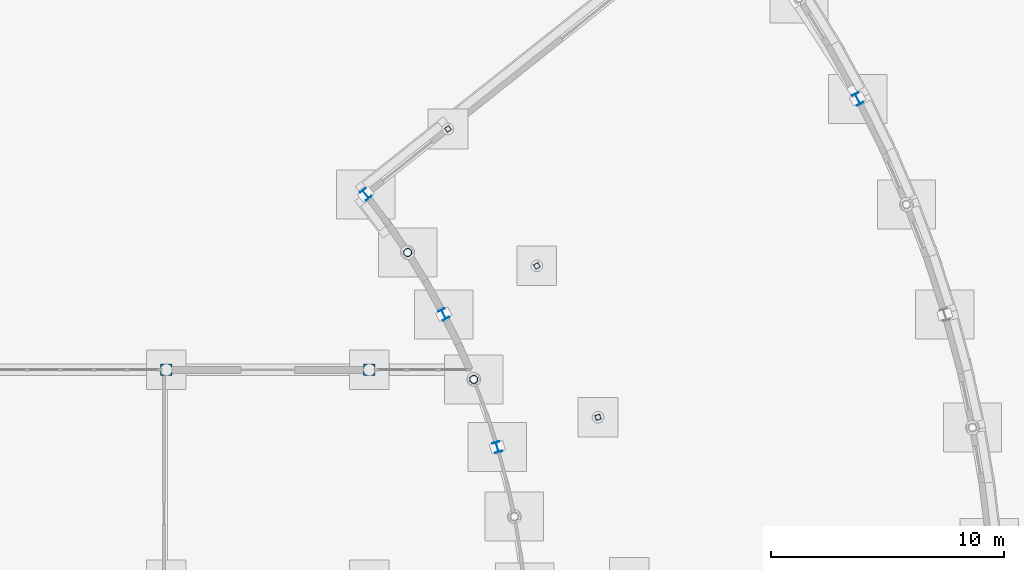
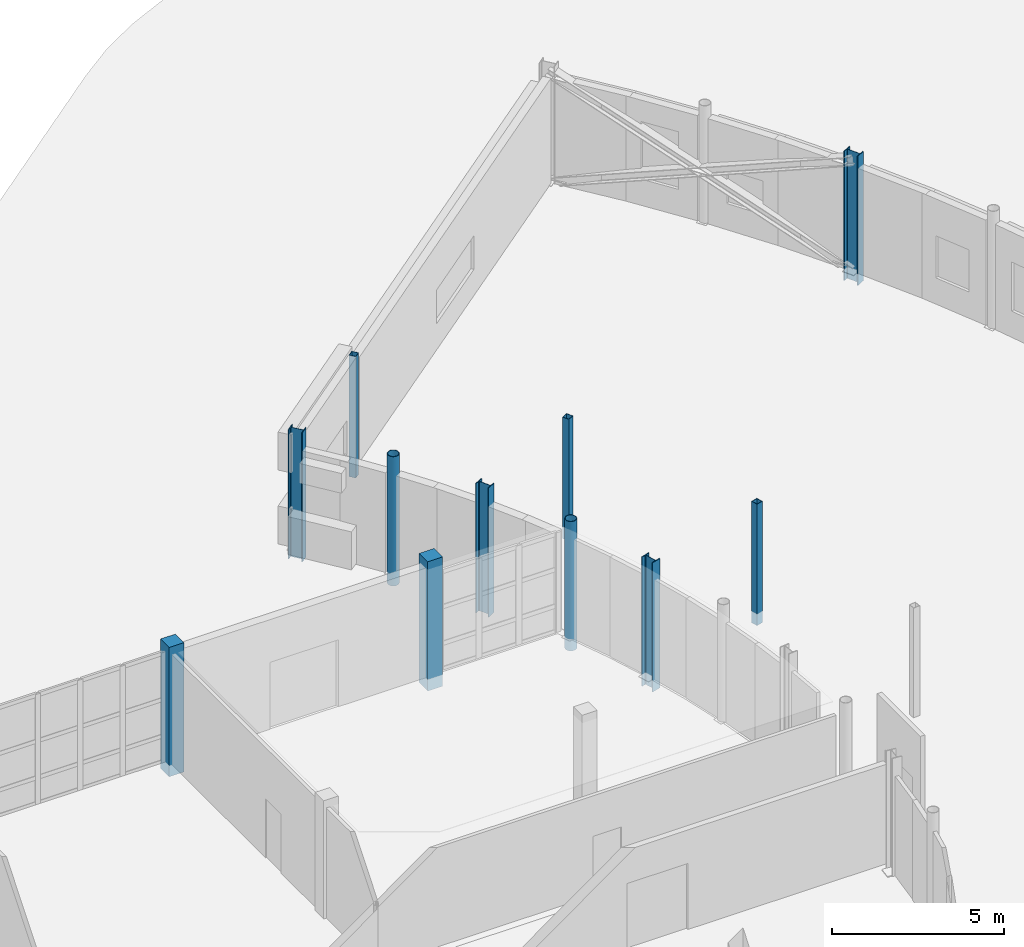
# One storey, part 14 of 88: 11 columns.
"""IFC4 building model written with IfcOpenShell, lengths in metres."""

from ifc_helpers import new_model, si_unit, direction, frame, origin, origin_2d, place, context, subcontext, project, spatial, rectangle, hollow_rectangle, hollow_circle, i_section, extrude, material, material_profile, profile_set, type_object, element, save


model = new_model("IFC4")

# Units and contexts
model_context = context("Model", 3, precision=1e-05, world=origin(), true_north=direction((0.0, 1.0)))
body_context = subcontext(model_context, "Body", "Model", "MODEL_VIEW")
ifc_project = project(units=[si_unit("LENGTHUNIT", "METRE"), si_unit("AREAUNIT", "SQUARE_METRE"), si_unit("VOLUMEUNIT", "CUBIC_METRE"), si_unit("PLANEANGLEUNIT", "RADIAN"), si_unit("MASSUNIT", "GRAM", prefix="KILO")], contexts=[model_context])

# Site, building, storey
site_placement = place(None, origin())
site = spatial("IfcSite", under=ifc_project, at=site_placement, CompositionType="ELEMENT")
building_placement = place(site_placement, origin())
building = spatial("IfcBuilding", under=site, at=building_placement, Name="Vanh Quang Courtyard School", CompositionType="ELEMENT")
storey_placement = place(building_placement, origin())
storey = spatial("IfcBuildingStorey", under=building, at=storey_placement, Name="L00", CompositionType="ELEMENT", Elevation=0.0)

# Columns
ifc_material_1 = material(Name="Concrete C35/45", Category="concrete")
ifc_material_profile_1 = material_profile(ifc_material_1, rectangle(XDim=0.5, YDim=0.5, at=origin_2d()), Name="RC-COL 500x500")
ifc_profile_set_1 = profile_set([ifc_material_profile_1], Name="Concrete C35/45")
column_type_1 = type_object("IfcColumnType", Name="COL-RC-500", PredefinedType="COLUMN", material=ifc_profile_set_1)
for number, where, z_axis, x_axis, name in (
    (1, (128.5, 68.39990234375, -0.39990234375), (0.0, 0.0, 1.0), (1.0, 0.0, 0.0), "Column C-05 (L00)"),
    (2, (137.199951171875, 68.39990234375, -0.39990234375), (0.0, 0.0, 1.0), (1.0, 0.0, 0.0), "Column C-05 (L00)"),
):
    element("IfcColumn", number, at=place(storey_placement, frame(where, z_axis=z_axis, x_axis=x_axis)), inside=storey, type_object=column_type_1, Name=name, PredefinedType="COLUMN", context=body_context, shape_type="SweptSolid", body=[
        extrude(rectangle(XDim=0.5, YDim=0.5, at=origin_2d()), origin(), (0.0, 0.0, 1.0), 4.599853515625),
    ])
ifc_material_2 = material(Name="Structural steel EN 10025-2 S355J2", Category="steel")
ifc_material_profile_2 = material_profile(ifc_material_2, hollow_circle(Radius=0.177734375, WallThickness=0.01611328125, at=origin_2d()), Name="CHS 355.6x16")
ifc_profile_set_2 = profile_set([ifc_material_profile_2], Name="Structural steel EN 10025-2 S355J2")
column_type_2 = type_object("IfcColumnType", Name="COL-STL-CHS355", PredefinedType="COLUMN", material=ifc_profile_set_2)
for number, where, z_axis, x_axis, name in (
    (3, (141.669921875, 67.9873046875, -0.39990234375), (0.0, 0.0, 1.0), (1.0, 0.0, 0.0), "Column CS-05 (L00)"),
    (4, (138.83740234375, 73.428466796875, -0.39990234375), (0.0, 0.0, 1.0), (1.0, 0.0, 0.0), "Column CS-05 (L00)"),
):
    element("IfcColumn", number, at=place(storey_placement, frame(where, z_axis=z_axis, x_axis=x_axis)), inside=storey, type_object=column_type_2, Name=name, PredefinedType="COLUMN", context=body_context, shape_type="SweptSolid", body=[
        extrude(hollow_circle(Radius=0.177734375, WallThickness=0.01611328125, at=origin_2d()), origin(), (0.0, 0.0, 1.0), 4.599853515625),
    ])
ifc_material_profile_3 = material_profile(ifc_material_2, i_section(OverallWidth=0.300048828125, OverallDepth=0.489990234375, WebThickness=0.011962890625, FlangeThickness=0.02294921875, FilletRadius=0.027099609375, at=origin_2d()), Name="HEA 500")
ifc_profile_set_3 = profile_set([ifc_material_profile_3], Name="Structural steel EN 10025-2 S355J2")
column_type_3 = type_object("IfcColumnType", Name="COL-STL-HEA500", PredefinedType="COLUMN", material=ifc_profile_set_3)
column_placement = place(storey_placement, frame((158.12451171875, 80.010986328125, -0.39990234375), z_axis=(0.0, 0.0, 1.0), x_axis=(0.887010833178, 0.461748613235, 0.0)))
element("IfcColumn", 5, at=column_placement, inside=storey, type_object=column_type_3, Name="Column CS-01 (L00)", PredefinedType="COLUMN", context=body_context, shape_type="SweptSolid", body=[
    extrude(i_section(OverallWidth=0.300048828125, OverallDepth=0.489990234375, WebThickness=0.011962890625, FlangeThickness=0.02294921875, FilletRadius=0.027099609375, at=origin_2d()), origin(), (0.0, 0.0, 1.0), 4.599853515625),
])
ifc_material_profile_4 = material_profile(ifc_material_2, i_section(OverallWidth=0.300048828125, OverallDepth=0.449951171875, WebThickness=0.013916015625, FlangeThickness=0.02587890625, FilletRadius=0.027099609375, at=origin_2d()), Name="HEB 450")
ifc_profile_set_4 = profile_set([ifc_material_profile_4], Name="Structural steel EN 10025-2 S355J2")
column_type_4 = type_object("IfcColumnType", Name="COL-STL-HEB450", PredefinedType="COLUMN", material=ifc_profile_set_4)
for number, where, z_axis, x_axis, name in (
    (6, (142.68212890625, 65.08837890625, -0.39990234375), (0.0, 0.0, 1.0), (0.958819734868, 0.284015344704, 0.0), "Column CS-02 (L00)"),
    (7, (140.38427734375, 70.77587890625, -0.39990234375), (0.0, 0.0, 1.0), (0.887010833178, 0.461748613235, 0.0), "Column CS-02 (L00)"),
    (8, (137.04345703125, 75.92041015625, -0.39990234375), (0.0, 0.0, 1.0), (0.782608156852, 0.622514636638, 0.0), "Column CS-02 (L00)"),
):
    element("IfcColumn", number, at=place(storey_placement, frame(where, z_axis=z_axis, x_axis=x_axis)), inside=storey, type_object=column_type_4, Name=name, PredefinedType="COLUMN", context=body_context, shape_type="SweptSolid", body=[
        extrude(i_section(OverallWidth=0.300048828125, OverallDepth=0.449951171875, WebThickness=0.013916015625, FlangeThickness=0.02587890625, FilletRadius=0.027099609375, at=origin_2d()), origin(), (0.0, 0.0, 1.0), 4.599853515625),
    ])
ifc_material_profile_5 = material_profile(ifc_material_2, hollow_rectangle(XDim=0.219970703125, YDim=0.219970703125, WallThickness=0.011962890625, at=origin_2d()), Name="SHS 220x220x12")
ifc_profile_set_5 = profile_set([ifc_material_profile_5], Name="Structural steel EN 10025-2 S355J2")
column_type_5 = type_object("IfcColumnType", Name="COL-STL-SHS220", PredefinedType="COLUMN", material=ifc_profile_set_5)
for number, where, z_axis, x_axis, name in (
    (9, (146.996826171875, 66.36669921875, -0.39990234375), (0.0, 0.0, 1.0), (0.958819734868, 0.284015344704, 0.0), "Column CS-06 (L00)"),
    (10, (144.3759765625, 72.853759765625, -0.39990234375), (0.0, 0.0, 1.0), (0.887010833178, 0.461748613235, 0.0), "Column CS-06 (L00)"),
    (11, (140.565185546875, 78.7216796875, -0.39990234375), (0.0, 0.0, 1.0), (0.782608156852, 0.622514636638, 0.0), "Column CS-06 (L00)"),
):
    element("IfcColumn", number, at=place(storey_placement, frame(where, z_axis=z_axis, x_axis=x_axis)), inside=storey, type_object=column_type_5, Name=name, PredefinedType="COLUMN", context=body_context, shape_type="SweptSolid", body=[
        extrude(hollow_rectangle(XDim=0.219970703125, YDim=0.219970703125, WallThickness=0.011962890625, at=origin_2d()), origin(), (0.0, 0.0, 1.0), 4.31982421875),
    ])

save(model, "model.ifc")
